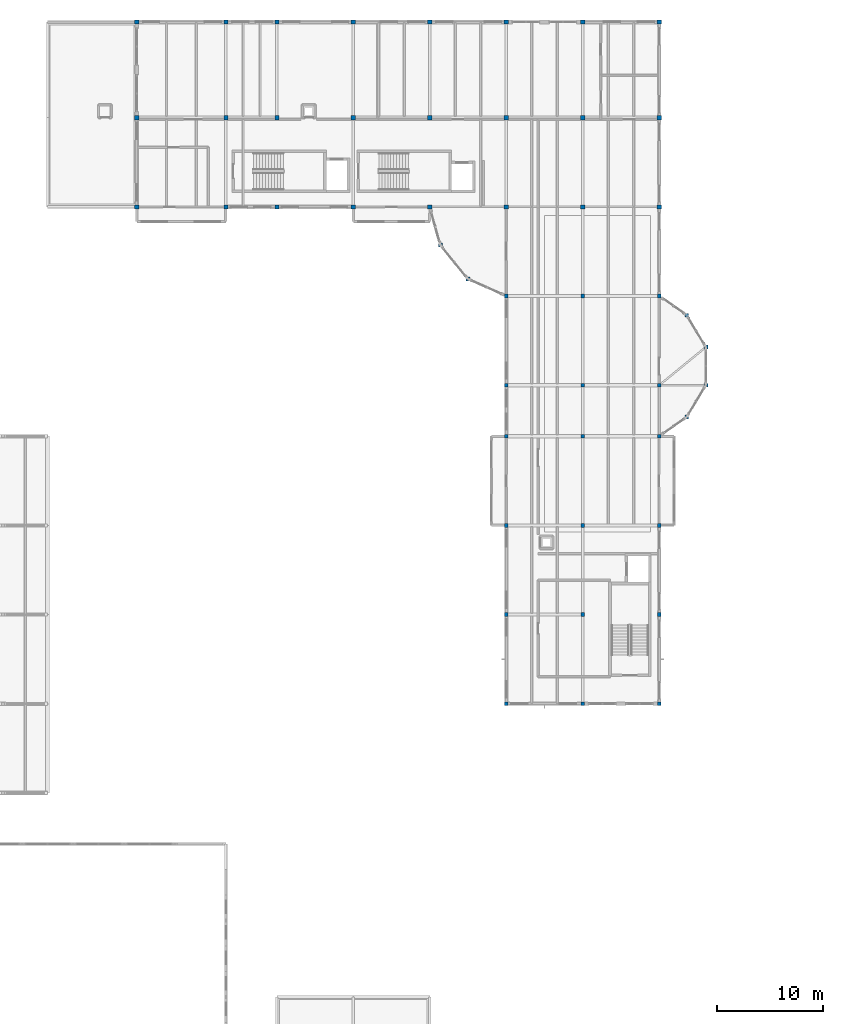
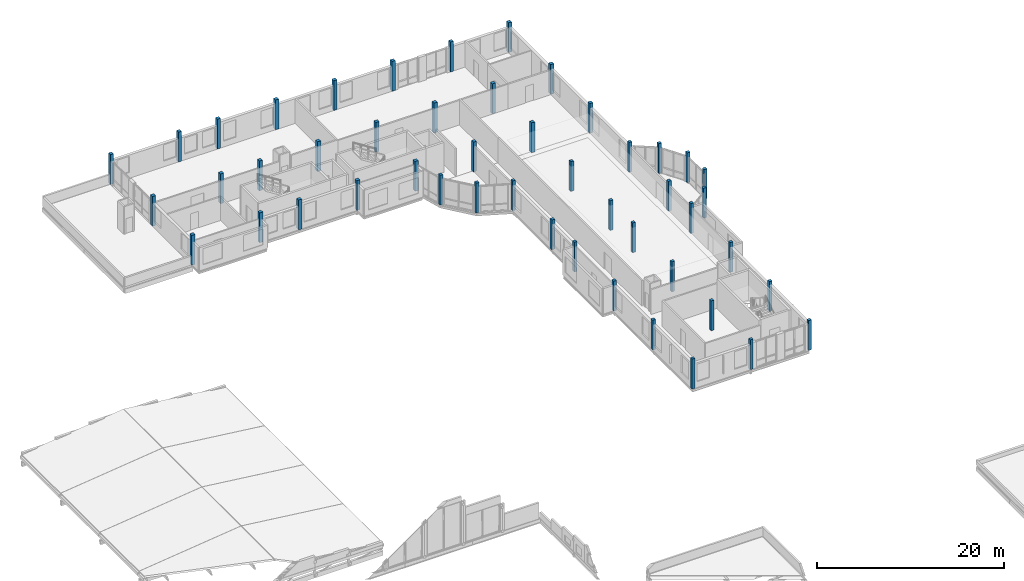
# One storey, part 1 of 34: 48 columns.
"""IFC4 building model written with IfcOpenShell, lengths in metres."""

from ifc_helpers import new_model, si_unit, direction, frame, origin, origin_2d, place, context, subcontext, project, spatial, rectangle, extrude, material, material_profile, profile_set, type_object, element, save


model = new_model("IFC4")

# Units and contexts
model_context = context("Model", 3, precision=1e-05, world=origin(), true_north=direction((0.0, 1.0)))
body_context = subcontext(model_context, "Body", "Model", "MODEL_VIEW")
ifc_project = project(units=[si_unit("LENGTHUNIT", "METRE"), si_unit("AREAUNIT", "SQUARE_METRE"), si_unit("VOLUMEUNIT", "CUBIC_METRE"), si_unit("PLANEANGLEUNIT", "RADIAN"), si_unit("MASSUNIT", "GRAM", prefix="KILO")], contexts=[model_context])

# Site, building, storey
site_placement = place(None, origin())
site = spatial("IfcSite", under=ifc_project, at=site_placement, CompositionType="ELEMENT")
building_placement = place(site_placement, origin())
building = spatial("IfcBuilding", under=site, at=building_placement, Name="Kahlenmark Community Centre", CompositionType="ELEMENT")
storey_placement = place(building_placement, frame((0.0, 0.0, 17.699951171875)))
storey = spatial("IfcBuildingStorey", under=building, at=storey_placement, Name="L04", CompositionType="ELEMENT", Elevation=17.699951171875)

# Columns
ifc_material = material(Name="Glulam GL32h", Category="wood")
ifc_material_profile_1 = material_profile(ifc_material, rectangle(XDim=0.360107421875, YDim=0.360107421875, at=origin_2d()), Name="GL32h 360x360")
ifc_profile_set_1 = profile_set([ifc_material_profile_1], Name="Glulam GL32h")
column_type_1 = type_object("IfcColumnType", Name="CT-GL360", PredefinedType="COLUMN", material=ifc_profile_set_1)
for number, where, z_axis, x_axis, name in (
    (1, (66.199951171875, 94.0, 0.0), (0.0, 0.0, 1.0), (1.0, 0.0, 0.0), "L04 column (66.2, 94.0)"),
    (2, (68.800048828125, 90.800048828125, 0.0), (0.0, 0.0, 1.0), (1.0, 0.0, 0.0), "L04 column (68.8, 90.8)"),
    (3, (72.39990234375, 50.800048828125, 0.0), (0.0, 0.0, 1.0), (1.0, 0.0, 0.0), "L04 column (72.4, 50.8)"),
    (4, (72.39990234375, 59.199951171875, 0.0), (0.0, 0.0, 1.0), (1.0, 0.0, 0.0), "L04 column (72.4, 59.2)"),
    (5, (72.39990234375, 67.60009765625, 0.0), (0.0, 0.0, 1.0), (1.0, 0.0, 0.0), "L04 column (72.4, 67.6)"),
    (6, (72.39990234375, 76.0, 0.0), (0.0, 0.0, 1.0), (1.0, 0.0, 0.0), "L04 column (72.4, 76.0)"),
    (7, (72.39990234375, 80.800048828125, 0.0), (0.0, 0.0, 1.0), (1.0, 0.0, 0.0), "L04 column (72.4, 80.8)"),
    (8, (72.39990234375, 89.199951171875, 0.0), (0.0, 0.0, 1.0), (1.0, 0.0, 0.0), "L04 column (72.4, 89.2)"),
    (9, (79.60009765625, 50.800048828125, 0.0), (0.0, 0.0, 1.0), (1.0, 0.0, 0.0), "L04 column (79.6, 50.8)"),
    (10, (79.60009765625, 59.199951171875, 0.0), (0.0, 0.0, 1.0), (1.0, 0.0, 0.0), "L04 column (79.6, 59.2)"),
    (11, (79.60009765625, 67.60009765625, 0.0), (0.0, 0.0, 1.0), (1.0, 0.0, 0.0), "L04 column (79.6, 67.6)"),
    (12, (79.60009765625, 76.0, 0.0), (0.0, 0.0, 1.0), (1.0, 0.0, 0.0), "L04 column (79.6, 76.0)"),
    (13, (79.60009765625, 80.800048828125, 0.0), (0.0, 0.0, 1.0), (1.0, 0.0, 0.0), "L04 column (79.6, 80.8)"),
    (14, (79.60009765625, 89.199951171875, 0.0), (0.0, 0.0, 1.0), (1.0, 0.0, 0.0), "L04 column (79.6, 89.2)"),
    (15, (86.800048828125, 50.800048828125, 0.0), (0.0, 0.0, 1.0), (1.0, 0.0, 0.0), "L04 column (86.8, 50.8)"),
    (16, (86.800048828125, 59.199951171875, 0.0), (0.0, 0.0, 1.0), (1.0, 0.0, 0.0), "L04 column (86.8, 59.2)"),
    (17, (86.800048828125, 67.60009765625, 0.0), (0.0, 0.0, 1.0), (1.0, 0.0, 0.0), "L04 column (86.8, 67.6)"),
    (18, (86.800048828125, 76.0, 0.0), (0.0, 0.0, 1.0), (1.0, 0.0, 0.0), "L04 column (86.8, 76.0)"),
    (19, (86.800048828125, 80.800048828125, 0.0), (0.0, 0.0, 1.0), (1.0, 0.0, 0.0), "L04 column (86.8, 80.8)"),
    (20, (86.800048828125, 89.199951171875, 0.0), (0.0, 0.0, 1.0), (1.0, 0.0, 0.0), "L04 column (86.8, 89.2)"),
    (21, (89.39990234375, 77.800048828125, 0.0), (0.0, 0.0, 1.0), (1.0, 0.0, 0.0), "L04 column (89.4, 77.8)"),
    (22, (89.39990234375, 87.39990234375, 0.0), (0.0, 0.0, 1.0), (1.0, 0.0, 0.0), "L04 column (89.4, 87.4)"),
    (23, (91.199951171875, 80.800048828125, 0.0), (0.0, 0.0, 1.0), (1.0, 0.0, 0.0), "L04 column (91.2, 80.8)"),
    (24, (91.199951171875, 84.39990234375, 0.0), (0.0, 0.0, 1.0), (1.0, 0.0, 0.0), "L04 column (91.2, 84.4)"),
):
    element("IfcColumn", number, at=place(storey_placement, frame(where, z_axis=z_axis, x_axis=x_axis)), inside=storey, type_object=column_type_1, Name=name, PredefinedType="COLUMN", context=body_context, shape_type="SweptSolid", body=[
        extrude(rectangle(XDim=0.360107421875, YDim=0.360107421875, at=origin_2d()), origin(), (0.0, 0.0, 1.0), 3.900146484375),
    ])
ifc_material_profile_2 = material_profile(ifc_material, rectangle(XDim=0.39990234375, YDim=0.39990234375, at=origin_2d()), Name="GL32h 400x400")
ifc_profile_set_2 = profile_set([ifc_material_profile_2], Name="Glulam GL32h")
column_type_2 = type_object("IfcColumnType", Name="CT-GL400", PredefinedType="COLUMN", material=ifc_profile_set_2)
for number, where, z_axis, x_axis, name in (
    (25, (37.60009765625, 97.60009765625, 0.0), (0.0, 0.0, 1.0), (1.0, 0.0, 0.0), "L04 column (37.6, 97.6)"),
    (26, (37.60009765625, 106.0, 0.0), (0.0, 0.0, 1.0), (1.0, 0.0, 0.0), "L04 column (37.6, 106.0)"),
    (27, (37.60009765625, 115.0, 0.0), (0.0, 0.0, 1.0), (1.0, 0.0, 0.0), "L04 column (37.6, 115.0)"),
    (28, (46.0, 97.60009765625, 0.0), (0.0, 0.0, 1.0), (1.0, 0.0, 0.0), "L04 column (46.0, 97.6)"),
    (29, (46.0, 106.0, 0.0), (0.0, 0.0, 1.0), (1.0, 0.0, 0.0), "L04 column (46.0, 106.0)"),
    (30, (46.0, 115.0, 0.0), (0.0, 0.0, 1.0), (1.0, 0.0, 0.0), "L04 column (46.0, 115.0)"),
    (31, (50.800048828125, 97.60009765625, 0.0), (0.0, 0.0, 1.0), (1.0, 0.0, 0.0), "L04 column (50.8, 97.6)"),
    (32, (50.800048828125, 106.0, 0.0), (0.0, 0.0, 1.0), (1.0, 0.0, 0.0), "L04 column (50.8, 106.0)"),
    (33, (50.800048828125, 115.0, 0.0), (0.0, 0.0, 1.0), (1.0, 0.0, 0.0), "L04 column (50.8, 115.0)"),
    (34, (58.0, 97.60009765625, 0.0), (0.0, 0.0, 1.0), (1.0, 0.0, 0.0), "L04 column (58.0, 97.6)"),
    (35, (58.0, 106.0, 0.0), (0.0, 0.0, 1.0), (1.0, 0.0, 0.0), "L04 column (58.0, 106.0)"),
    (36, (58.0, 115.0, 0.0), (0.0, 0.0, 1.0), (1.0, 0.0, 0.0), "L04 column (58.0, 115.0)"),
    (37, (65.199951171875, 97.60009765625, 0.0), (0.0, 0.0, 1.0), (1.0, 0.0, 0.0), "L04 column (65.2, 97.6)"),
    (38, (65.199951171875, 106.0, 0.0), (0.0, 0.0, 1.0), (1.0, 0.0, 0.0), "L04 column (65.2, 106.0)"),
    (39, (65.199951171875, 115.0, 0.0), (0.0, 0.0, 1.0), (1.0, 0.0, 0.0), "L04 column (65.2, 115.0)"),
    (40, (72.39990234375, 97.60009765625, 0.0), (0.0, 0.0, 1.0), (1.0, 0.0, 0.0), "L04 column (72.4, 97.6)"),
    (41, (72.39990234375, 106.0, 0.0), (0.0, 0.0, 1.0), (1.0, 0.0, 0.0), "L04 column (72.4, 106.0)"),
    (42, (72.39990234375, 115.0, 0.0), (0.0, 0.0, 1.0), (1.0, 0.0, 0.0), "L04 column (72.4, 115.0)"),
    (43, (79.60009765625, 97.60009765625, 0.0), (0.0, 0.0, 1.0), (1.0, 0.0, 0.0), "L04 column (79.6, 97.6)"),
    (44, (79.60009765625, 106.0, 0.0), (0.0, 0.0, 1.0), (1.0, 0.0, 0.0), "L04 column (79.6, 106.0)"),
    (45, (79.60009765625, 115.0, 0.0), (0.0, 0.0, 1.0), (1.0, 0.0, 0.0), "L04 column (79.6, 115.0)"),
    (46, (86.800048828125, 97.60009765625, 0.0), (0.0, 0.0, 1.0), (1.0, 0.0, 0.0), "L04 column (86.8, 97.6)"),
    (47, (86.800048828125, 106.0, 0.0), (0.0, 0.0, 1.0), (1.0, 0.0, 0.0), "L04 column (86.8, 106.0)"),
    (48, (86.800048828125, 115.0, 0.0), (0.0, 0.0, 1.0), (1.0, 0.0, 0.0), "L04 column (86.8, 115.0)"),
):
    element("IfcColumn", number, at=place(storey_placement, frame(where, z_axis=z_axis, x_axis=x_axis)), inside=storey, type_object=column_type_2, Name=name, PredefinedType="COLUMN", context=body_context, shape_type="SweptSolid", body=[
        extrude(rectangle(XDim=0.39990234375, YDim=0.39990234375, at=origin_2d()), origin(), (0.0, 0.0, 1.0), 3.900146484375),
    ])

save(model, "model.ifc")
